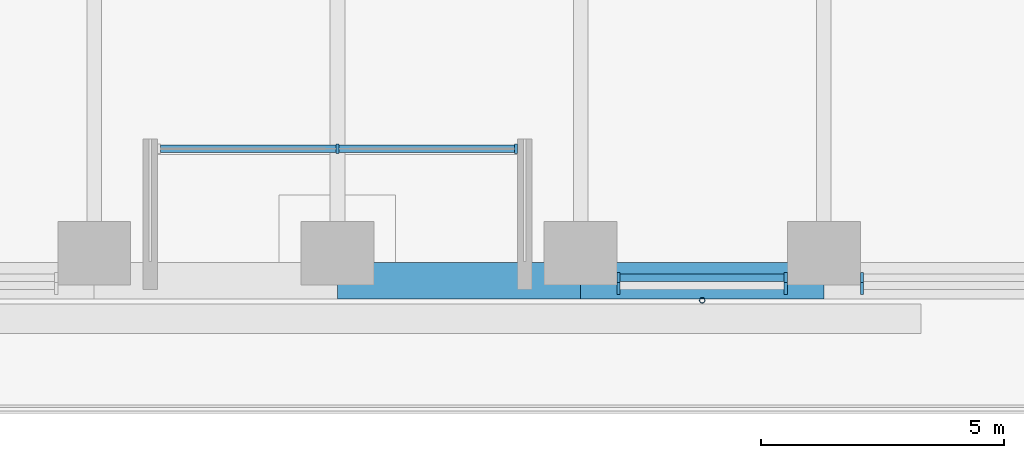
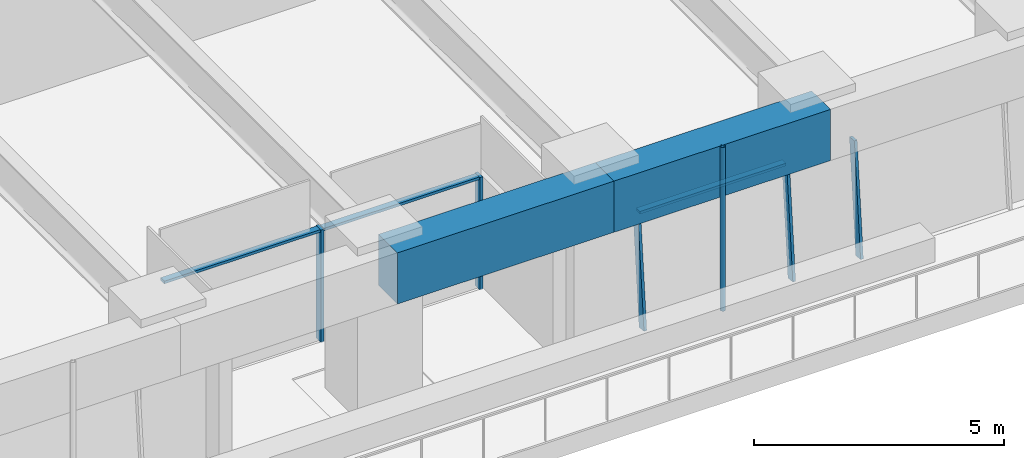
# One storey, part 4 of 24: 8 members, 2 beams, 3 elements without a shape of their own.
"""IFC4 building model written with IfcOpenShell, lengths in metres."""

from ifc_helpers import new_model, si_unit, direction, frame, origin, origin_2d, place, context, subcontext, project, spatial, rectangle, hollow_circle, extrude, material, material_profile, profile_set, type_object, element, aggregate, save


model = new_model("IFC4")

# Units and contexts
model_context = context("Model", 3, precision=1e-05, world=origin(), true_north=direction((0.0, 1.0)))
body_context = subcontext(model_context, "Body", "Model", "MODEL_VIEW")
ifc_project = project(units=[si_unit("LENGTHUNIT", "METRE"), si_unit("AREAUNIT", "SQUARE_METRE"), si_unit("VOLUMEUNIT", "CUBIC_METRE"), si_unit("PLANEANGLEUNIT", "RADIAN"), si_unit("MASSUNIT", "GRAM", prefix="KILO")], contexts=[model_context])

# Site, building, storey
site_placement = place(None, origin())
site = spatial("IfcSite", under=ifc_project, at=site_placement, CompositionType="ELEMENT")
building_placement = place(site_placement, origin())
building = spatial("IfcBuilding", under=site, at=building_placement, Name="Tarfa Lantern Tower", CompositionType="ELEMENT")
storey_placement = place(building_placement, frame((0.0, 0.0, 195.10009765625)))
storey = spatial("IfcBuildingStorey", under=building, at=storey_placement, Name="L44", CompositionType="ELEMENT", Elevation=195.10009765625)

# Curtain wall, members
ifc_material_1 = material(Name="Aluminium framed curtain wall", Category="aluminium")
curtain_wall_type_1 = type_object("IfcCurtainWallType", Name="CW2 CANTED GLAZING MID ZONE 2750", PredefinedType="USERDEFINED", material=ifc_material_1)
curtain_wall_1_placement = place(storey_placement, origin())
curtain_wall_1 = element("IfcCurtainWall", 1, at=curtain_wall_1_placement, inside=storey, type_object=curtain_wall_type_1, Name="CW2 SB L44", ObjectType="CURTAIN WALL", PredefinedType="USERDEFINED")
ifc_material_2 = material(Name="Aluminium mullion", Category="aluminium")
ifc_material_profile_1 = material_profile(ifc_material_2, rectangle(XDim=0.06494140625, YDim=0.199951171875, at=origin_2d()), Name="AL MULLION 65x200")
ifc_profile_set_1 = profile_set([ifc_material_profile_1], Name="Aluminium mullion")
member_type_1 = type_object("IfcMemberType", Name="CWM1 MULLION 65x200", PredefinedType="MULLION", material=ifc_profile_set_1)
member_1_placement = place(storey_placement, frame((5.7861328125, -31.39990234375, 0.0), z_axis=(0.0, 0.090535746043, 0.995893206468), x_axis=(-1.0, 0.0, 0.0)))
member_1 = element("IfcMember", 2, at=member_1_placement, type_object=member_type_1, Name="CW2 mullion 1", PredefinedType="MULLION", context=body_context, shape_type="SweptSolid", body=[
    extrude(rectangle(XDim=0.06494140625, YDim=0.199951171875, at=origin_2d()), origin(), (0.0, 0.0, 1.0), 2.76123046875),
])
member_2_placement = place(storey_placement, frame((9.224853515625, -31.39990234375, 0.0), z_axis=(0.0, 0.090535746043, 0.995893206468), x_axis=(-1.0, 0.0, 0.0)))
member_2 = element("IfcMember", 3, at=member_2_placement, type_object=member_type_1, Name="CW2 mullion 2", PredefinedType="MULLION", context=body_context, shape_type="SweptSolid", body=[
    extrude(rectangle(XDim=0.06494140625, YDim=0.199951171875, at=origin_2d()), origin(), (0.0, 0.0, 1.0), 2.76123046875),
])

# Curtain wall, member
curtain_wall_2_placement = place(storey_placement, origin())
curtain_wall_2 = element("IfcCurtainWall", 4, at=curtain_wall_2_placement, inside=storey, type_object=curtain_wall_type_1, Name="CW2 SB L44", ObjectType="CURTAIN WALL", PredefinedType="USERDEFINED")
member_3_placement = place(storey_placement, frame((10.789794921875, -31.39990234375, 0.0), z_axis=(0.0, 0.090535746043, 0.995893206468), x_axis=(-1.0, 0.0, 0.0)))
member_3 = element("IfcMember", 5, at=member_3_placement, type_object=member_type_1, Name="CW2 mullion 1", PredefinedType="MULLION", context=body_context, shape_type="SweptSolid", body=[
    extrude(rectangle(XDim=0.06494140625, YDim=0.199951171875, at=origin_2d()), origin(), (0.0, 0.0, 1.0), 2.76123046875),
])
aggregate(curtain_wall_2, [member_3])

# Curtain wall, members
curtain_wall_type_2 = type_object("IfcCurtainWallType", Name="CW10 LOGGIA GLAZING 2750", PredefinedType="USERDEFINED", material=ifc_material_1)
curtain_wall_3_placement = place(storey_placement, origin())
curtain_wall_3 = element("IfcCurtainWall", 6, at=curtain_wall_3_placement, inside=storey, type_object=curtain_wall_type_2, Name="CW10 SL L44", ObjectType="CURTAIN WALL", PredefinedType="USERDEFINED")
member_4_placement = place(storey_placement, frame((0.0, -28.5, 0.0), z_axis=(0.0, 0.0, 1.0), x_axis=(1.0, 0.0, 0.0)))
member_4 = element("IfcMember", 7, at=member_4_placement, type_object=member_type_1, Name="CW10 mullion 2", PredefinedType="MULLION", context=body_context, shape_type="SweptSolid", body=[
    extrude(rectangle(XDim=0.06494140625, YDim=0.199951171875, at=origin_2d()), origin(), (0.0, 0.0, 1.0), 2.75),
])
member_5_placement = place(storey_placement, frame((3.671142578125, -28.5, 0.0), z_axis=(0.0, 0.0, 1.0), x_axis=(1.0, 0.0, 0.0)))
member_5 = element("IfcMember", 8, at=member_5_placement, type_object=member_type_1, Name="CW10 mullion 3", PredefinedType="MULLION", context=body_context, shape_type="SweptSolid", body=[
    extrude(rectangle(XDim=0.06494140625, YDim=0.199951171875, at=origin_2d()), origin(), (0.0, 0.0, 1.0), 2.75),
])

# Member
ifc_material_3 = material(Name="Aluminium transom", Category="aluminium")
ifc_material_profile_2 = material_profile(ifc_material_3, rectangle(XDim=0.14990234375, YDim=0.06494140625, at=origin_2d()), Name="AL TRANSOM 150x65")
ifc_profile_set_2 = profile_set([ifc_material_profile_2], Name="Aluminium transom")
member_type_2 = type_object("IfcMemberType", Name="CWT1 TRANSOM 150x65", PredefinedType="USERDEFINED", material=ifc_profile_set_2)
member_6_placement = place(storey_placement, frame((5.818603515625, -31.153076171875, 2.71728515625), z_axis=(1.0, 0.0, 0.0), x_axis=(0.0, 1.0, 0.0)))
member_6 = element("IfcMember", 9, at=member_6_placement, type_object=member_type_2, Name="CW2 transom 1.2", ObjectType="TRANSOM", PredefinedType="USERDEFINED", context=body_context, shape_type="SweptSolid", body=[
    extrude(rectangle(XDim=0.14990234375, YDim=0.06494140625, at=origin_2d()), origin(), (0.0, 0.0, 1.0), 3.373779296875),
])

aggregate(curtain_wall_1, [member_1, member_2, member_6])

member_7_placement = place(storey_placement, frame((-3.638671875, -28.5, 2.71728515625), z_axis=(1.0, 0.0, 0.0), x_axis=(0.0, 1.0, 0.0)))
member_7 = element("IfcMember", 10, at=member_7_placement, type_object=member_type_2, Name="CW10 transom 1.2", ObjectType="TRANSOM", PredefinedType="USERDEFINED", context=body_context, shape_type="SweptSolid", body=[
    extrude(rectangle(XDim=0.14990234375, YDim=0.06494140625, at=origin_2d()), origin(), (0.0, 0.0, 1.0), 7.27734375),
])

aggregate(curtain_wall_3, [member_4, member_5, member_7])

# Beams
ifc_material_4 = material(Name="Concrete C80/95", Category="concrete")
ifc_material_profile_3 = material_profile(ifc_material_4, rectangle(XDim=0.75, YDim=1.25, at=origin_2d()), Name="RC 750x1250")
ifc_profile_set_3 = profile_set([ifc_material_profile_3], Name="Concrete C80/95")
beam_type = type_object("IfcBeamType", Name="EB2 RC 750x1250", PredefinedType="SPANDREL", material=ifc_profile_set_3)
for number, where, z_axis, x_axis, name in (
    (11, (0.0, -31.219970703125, 3.375), (1.0, 0.0, 0.0), (0.0, 1.0, 0.0), "Edge beam S3"),
    (12, (5.003662109375, -31.219970703125, 3.375), (1.0, 0.0, 0.0), (0.0, 1.0, 0.0), "Edge beam S4"),
):
    element("IfcBeam", number, at=place(storey_placement, frame(where, z_axis=z_axis, x_axis=x_axis)), inside=storey, type_object=beam_type, Name=name, PredefinedType="SPANDREL", context=body_context, shape_type="SweptSolid", body=[
        extrude(rectangle(XDim=0.75, YDim=1.25, at=origin_2d()), origin(), (0.0, 0.0, 1.0), 5.003662109375),
    ])

# Member
ifc_material_5 = material(Name="Steel S355", Category="steel")
ifc_material_profile_4 = material_profile(ifc_material_5, hollow_circle(Radius=0.05712890625, WallThickness=0.00634765625, at=origin_2d()), Name="CHS114.3x6.3")
ifc_profile_set_4 = profile_set([ifc_material_profile_4], Name="Steel S355")
member_type_3 = type_object("IfcMemberType", Name="TR1 GREEN WALL TRELLIS CHS114.3x6.3", PredefinedType="USERDEFINED", material=ifc_profile_set_4)
member_8_placement = place(storey_placement, frame((7.505615234375, -31.6201171875, 0.0), z_axis=(0.0, 0.0, 1.0), x_axis=(1.0, 0.0, 0.0)))
element("IfcMember", 13, at=member_8_placement, inside=storey, type_object=member_type_3, Name="Trellis post S 2", ObjectType="TRELLIS", PredefinedType="USERDEFINED", context=body_context, shape_type="SweptSolid", body=[
    extrude(hollow_circle(Radius=0.05712890625, WallThickness=0.00634765625, at=origin_2d()), origin(), (0.0, 0.0, 1.0), 4.0),
])

save(model, "model.ifc")
